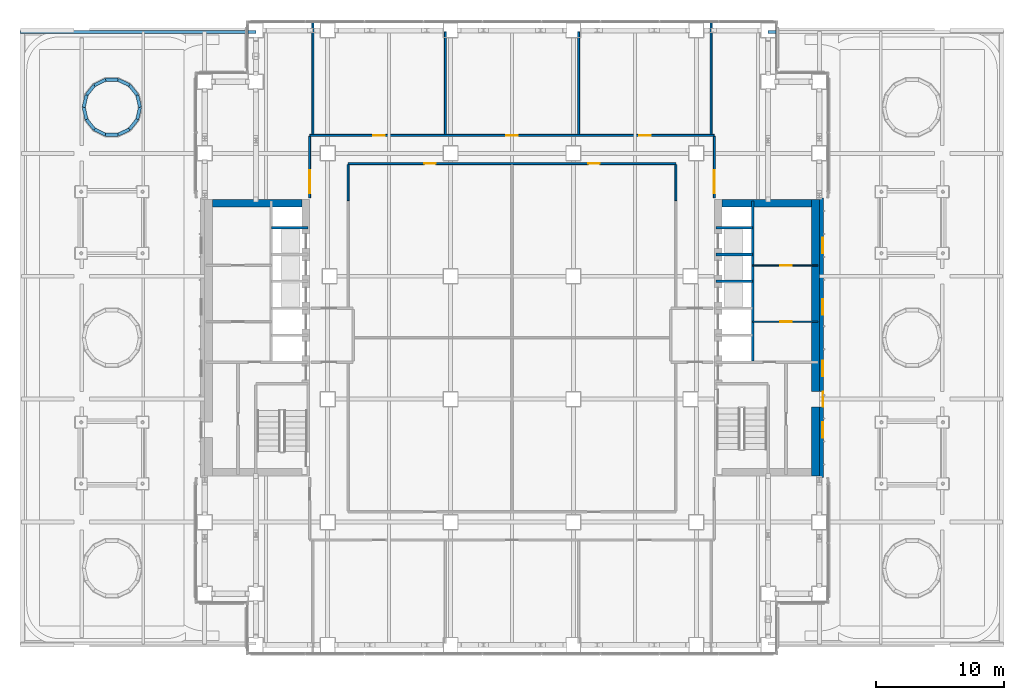
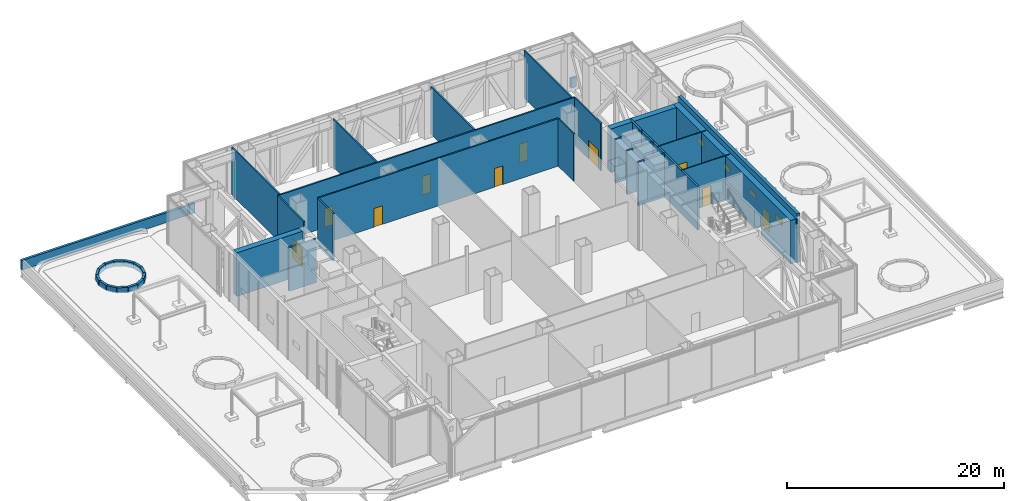
# One storey, part 26 of 39: 38 walls, 10 doors, 4 windows, 15 openings.
"""IFC4 building model written with IfcOpenShell, lengths in metres."""

from ifc_helpers import new_model, si_unit, direction, frame, frame_2d, origin, place, context, subcontext, project, spatial, rectangle, extrude, material, layer, layer_set, type_object, element, fill, save


model = new_model("IFC4")

# Units and contexts
model_context = context("Model", 3, precision=1e-05, world=origin(), true_north=direction((0.0, 1.0)))
body_context = subcontext(model_context, "Body", "Model", "MODEL_VIEW")
ifc_project = project(units=[si_unit("LENGTHUNIT", "METRE"), si_unit("AREAUNIT", "SQUARE_METRE"), si_unit("VOLUMEUNIT", "CUBIC_METRE"), si_unit("PLANEANGLEUNIT", "RADIAN"), si_unit("MASSUNIT", "GRAM", prefix="KILO")], contexts=[model_context])

# Site, building, storey
site_placement = place(None, origin())
site = spatial("IfcSite", under=ifc_project, at=site_placement, CompositionType="ELEMENT")
building_placement = place(site_placement, origin())
building = spatial("IfcBuilding", under=site, at=building_placement, Name="Cobrizo Arcos Hotel Tower", CompositionType="ELEMENT")
storey_placement = place(building_placement, frame((0.0, 0.0, 33.5)))
storey = spatial("IfcBuildingStorey", under=building, at=storey_placement, Name="L06", CompositionType="ELEMENT", Elevation=33.5)

# Wall, openings, doors
ifc_material_1 = material(Name="Gypsum board partition")
ifc_layer_1 = layer(ifc_material_1, 0.14990234375)
ifc_layer_set_1 = layer_set([ifc_layer_1], Name="Corridor wall EI 60 150")
wall_type_1 = type_object("IfcWallType", Name="Corridor wall EI 60 150", PredefinedType="PARTITIONING", material=ifc_layer_set_1)
wall_1_placement = place(storey_placement, frame((-12.800048828125, 13.60009765625, 0.0), z_axis=(0.0, 0.0, 1.0), x_axis=(1.0, 0.0, 0.0)))
wall_1 = element("IfcWall", 1, at=wall_1_placement, inside=storey, type_object=wall_type_1, Name="Partition 030", PredefinedType="PARTITIONING", context=body_context, shape_type="SweptSolid", body=[
    extrude(rectangle(XDim=25.60009765625, YDim=0.14990234375, at=frame_2d((12.800048828125, 0.0))), origin(), (0.0, 0.0, 1.0), 5.35009765625),
])
opening_1_placement = place(wall_1_placement, frame((5.949951171875, 0.0, 0.0)))
opening_1 = element("IfcOpeningElement", 2, at=opening_1_placement, cuts=wall_1, Name="Opening RD-18", PredefinedType="OPENING", context=body_context, shape_type="SweptSolid", body=[
    extrude(rectangle(XDim=0.89990234375, YDim=2.10009765625, at=frame_2d((0.449951171875, 1.050048828125))), frame((0.0, 0.0869140625, 0.0), z_axis=(0.0, -1.0, 0.0), x_axis=(1.0, 0.0, 0.0)), (0.0, 0.0, 1.0), 0.173828125),
])
opening_2_placement = place(wall_1_placement, frame((18.75, 0.0, 0.0)))
opening_2 = element("IfcOpeningElement", 3, at=opening_2_placement, cuts=wall_1, Name="Opening RD-20", PredefinedType="OPENING", context=body_context, shape_type="SweptSolid", body=[
    extrude(rectangle(XDim=0.89990234375, YDim=2.10009765625, at=frame_2d((0.449951171875, 1.050048828125))), frame((0.0, 0.0869140625, 0.0), z_axis=(0.0, -1.0, 0.0), x_axis=(1.0, 0.0, 0.0)), (0.0, 0.0, 1.0), 0.173828125),
])
ifc_material_2 = material(Name="Timber door leaf", Category="wood")
door_type_1 = type_object("IfcDoorType", Name="Room door FD30 900x2100", OperationType="SINGLE_SWING_LEFT", PredefinedType="DOOR", material=ifc_material_2)
door_1_placement = place(opening_1_placement, origin())
door_1 = element("IfcDoor", 4, at=door_1_placement, inside=storey, type_object=door_type_1, Name="Door RD-18", OperationType="SINGLE_SWING_RIGHT", OverallHeight=2.10009765625, OverallWidth=0.89990234375, PredefinedType="DOOR", context=body_context, shape_type="SweptSolid", body=[
    extrude(rectangle(XDim=0.89990234375, YDim=2.10009765625, at=frame_2d((0.449951171875, 1.050048828125))), frame((0.0, 0.02490234375, 0.0), z_axis=(0.0, -1.0, 0.0), x_axis=(1.0, 0.0, 0.0)), (0.0, 0.0, 1.0), 0.050048828125),
])
fill(opening_1, door_1)
door_2_placement = place(opening_2_placement, origin())
door_2 = element("IfcDoor", 5, at=door_2_placement, inside=storey, type_object=door_type_1, Name="Door RD-20", OperationType="SINGLE_SWING_RIGHT", OverallHeight=2.10009765625, OverallWidth=0.89990234375, PredefinedType="DOOR", context=body_context, shape_type="SweptSolid", body=[
    extrude(rectangle(XDim=0.89990234375, YDim=2.10009765625, at=frame_2d((0.449951171875, 1.050048828125))), frame((0.0, 0.02490234375, 0.0), z_axis=(0.0, -1.0, 0.0), x_axis=(1.0, 0.0, 0.0)), (0.0, 0.0, 1.0), 0.050048828125),
])
fill(opening_2, door_2)

wall_2_placement = place(storey_placement, frame((-15.800048828125, 15.800048828125, 0.0), z_axis=(0.0, 0.0, 1.0), x_axis=(1.0, 0.0, 0.0)))
wall_2 = element("IfcWall", 6, at=wall_2_placement, inside=storey, type_object=wall_type_1, Name="Partition 031", PredefinedType="PARTITIONING", context=body_context, shape_type="SweptSolid", body=[
    extrude(rectangle(XDim=31.60009765625, YDim=0.14990234375, at=frame_2d((15.800048828125, 0.0))), origin(), (0.0, 0.0, 1.0), 5.35009765625),
])
opening_3_placement = place(wall_2_placement, frame((4.97998046875, 0.0, 0.0)))
opening_3 = element("IfcOpeningElement", 7, at=opening_3_placement, cuts=wall_2, Name="Opening RD-09", PredefinedType="OPENING", context=body_context, shape_type="SweptSolid", body=[
    extrude(rectangle(XDim=0.89990234375, YDim=2.10009765625, at=frame_2d((0.449951171875, 1.050048828125))), frame((0.0, 0.0869140625, 0.0), z_axis=(0.0, -1.0, 0.0), x_axis=(1.0, 0.0, 0.0)), (0.0, 0.0, 1.0), 0.173828125),
])
opening_4_placement = place(wall_2_placement, frame((15.35009765625, 0.0, 0.0)))
opening_4 = element("IfcOpeningElement", 8, at=opening_4_placement, cuts=wall_2, Name="Opening RD-10", PredefinedType="OPENING", context=body_context, shape_type="SweptSolid", body=[
    extrude(rectangle(XDim=0.89990234375, YDim=2.10009765625, at=frame_2d((0.449951171875, 1.050048828125))), frame((0.0, 0.0869140625, 0.0), z_axis=(0.0, -1.0, 0.0), x_axis=(1.0, 0.0, 0.0)), (0.0, 0.0, 1.0), 0.173828125),
])
opening_5_placement = place(wall_2_placement, frame((25.720947265625, 0.0, 0.0)))
opening_5 = element("IfcOpeningElement", 9, at=opening_5_placement, cuts=wall_2, Name="Opening RD-11", PredefinedType="OPENING", context=body_context, shape_type="SweptSolid", body=[
    extrude(rectangle(XDim=0.89990234375, YDim=2.10009765625, at=frame_2d((0.449951171875, 1.050048828125))), frame((0.0, 0.0869140625, 0.0), z_axis=(0.0, -1.0, 0.0), x_axis=(1.0, 0.0, 0.0)), (0.0, 0.0, 1.0), 0.173828125),
])
door_3_placement = place(opening_3_placement, origin())
door_3 = element("IfcDoor", 10, at=door_3_placement, inside=storey, type_object=door_type_1, Name="Door RD-09", OperationType="SINGLE_SWING_RIGHT", OverallHeight=2.10009765625, OverallWidth=0.89990234375, PredefinedType="DOOR", context=body_context, shape_type="SweptSolid", body=[
    extrude(rectangle(XDim=0.89990234375, YDim=2.10009765625, at=frame_2d((0.449951171875, 1.050048828125))), frame((0.0, 0.02490234375, 0.0), z_axis=(0.0, -1.0, 0.0), x_axis=(1.0, 0.0, 0.0)), (0.0, 0.0, 1.0), 0.050048828125),
])
fill(opening_3, door_3)
door_4_placement = place(opening_4_placement, origin())
door_4 = element("IfcDoor", 11, at=door_4_placement, inside=storey, type_object=door_type_1, Name="Door RD-10", OperationType="SINGLE_SWING_LEFT", OverallHeight=2.10009765625, OverallWidth=0.89990234375, PredefinedType="DOOR", context=body_context, shape_type="SweptSolid", body=[
    extrude(rectangle(XDim=0.89990234375, YDim=2.10009765625, at=frame_2d((0.449951171875, 1.050048828125))), frame((0.0, 0.02490234375, 0.0), z_axis=(0.0, -1.0, 0.0), x_axis=(1.0, 0.0, 0.0)), (0.0, 0.0, 1.0), 0.050048828125),
])
fill(opening_4, door_4)
door_5_placement = place(opening_5_placement, origin())
door_5 = element("IfcDoor", 12, at=door_5_placement, inside=storey, type_object=door_type_1, Name="Door RD-11", OperationType="SINGLE_SWING_LEFT", OverallHeight=2.10009765625, OverallWidth=0.89990234375, PredefinedType="DOOR", context=body_context, shape_type="SweptSolid", body=[
    extrude(rectangle(XDim=0.89990234375, YDim=2.10009765625, at=frame_2d((0.449951171875, 1.050048828125))), frame((0.0, 0.02490234375, 0.0), z_axis=(0.0, -1.0, 0.0), x_axis=(1.0, 0.0, 0.0)), (0.0, 0.0, 1.0), 0.050048828125),
])
fill(opening_5, door_5)

# Wall, opening, door
wall_3_placement = place(storey_placement, frame((-15.800048828125, 10.919921875, 0.0), z_axis=(0.0, 0.0, 1.0), x_axis=(0.0, 1.0, 0.0)))
wall_3 = element("IfcWall", 13, at=wall_3_placement, inside=storey, type_object=wall_type_1, Name="Partition 036", PredefinedType="PARTITIONING", context=body_context, shape_type="SweptSolid", body=[
    extrude(rectangle(XDim=4.80517578125, YDim=0.14990234375, at=frame_2d((2.402587890625, 0.0))), origin(), (0.0, 0.0, 1.0), 5.35009765625),
])
opening_6_placement = place(wall_3_placement, frame((0.3798828125, 0.0, 0.0)))
opening_6 = element("IfcOpeningElement", 14, at=opening_6_placement, cuts=wall_3, Name="Opening DD-01", PredefinedType="OPENING", context=body_context, shape_type="SweptSolid", body=[
    extrude(rectangle(XDim=1.800048828125, YDim=2.10009765625, at=frame_2d((0.89990234375, 1.050048828125))), frame((0.0, 0.0869140625, 0.0), z_axis=(0.0, -1.0, 0.0), x_axis=(1.0, 0.0, 0.0)), (0.0, 0.0, 1.0), 0.173828125),
])
door_type_2 = type_object("IfcDoorType", Name="Double door FD30 1800x2100", OperationType="DOUBLE_DOOR_SINGLE_SWING", PredefinedType="DOOR", material=ifc_material_2)
door_6_placement = place(opening_6_placement, origin())
door_6 = element("IfcDoor", 15, at=door_6_placement, inside=storey, type_object=door_type_2, Name="Door DD-01", OperationType="DOUBLE_DOOR_SINGLE_SWING", OverallHeight=2.10009765625, OverallWidth=1.800048828125, PredefinedType="DOOR", context=body_context, shape_type="SweptSolid", body=[
    extrude(rectangle(XDim=1.800048828125, YDim=2.10009765625, at=frame_2d((0.89990234375, 1.050048828125))), frame((0.0, 0.02490234375, 0.0), z_axis=(0.0, -1.0, 0.0), x_axis=(1.0, 0.0, 0.0)), (0.0, 0.0, 1.0), 0.050048828125),
])
fill(opening_6, door_6)

# Walls
wall_4_placement = place(storey_placement, frame((-15.550048828125, 15.875, 0.0), z_axis=(0.0, 0.0, 1.0), x_axis=(0.0, 1.0, 0.0)))
element("IfcWall", 16, at=wall_4_placement, inside=storey, type_object=wall_type_1, Name="Partition 038", PredefinedType="PARTITIONING", context=body_context, shape_type="SweptSolid", body=[
    extrude(rectangle(XDim=8.7548828125, YDim=0.14990234375, at=frame_2d((4.37744140625, 0.0))), origin(), (0.0, 0.0, 1.0), 5.35009765625),
])
wall_5_placement = place(storey_placement, frame((-12.800048828125, 10.699951171875, 0.0), z_axis=(0.0, 0.0, 1.0), x_axis=(0.0, 1.0, 0.0)))
element("IfcWall", 17, at=wall_5_placement, inside=storey, type_object=wall_type_1, Name="Partition 041", PredefinedType="PARTITIONING", context=body_context, shape_type="SweptSolid", body=[
    extrude(rectangle(XDim=2.824951171875, YDim=0.14990234375, at=frame_2d((1.41259765625, 0.0))), origin(), (0.0, 0.0, 1.0), 5.35009765625),
])
for number, where, z_axis, x_axis, name in (
    (18, (-5.199951171875, 15.875, 0.0), (0.0, 0.0, 1.0), (0.0, 1.0, 0.0), "Partition 044"),
    (19, (5.199951171875, 15.875, 0.0), (0.0, 0.0, 1.0), (0.0, 1.0, 0.0), "Partition 048"),
):
    element("IfcWall", number, at=place(storey_placement, frame(where, z_axis=z_axis, x_axis=x_axis)), inside=storey, type_object=wall_type_1, Name=name, PredefinedType="PARTITIONING", context=body_context, shape_type="SweptSolid", body=[
        extrude(rectangle(XDim=8.0048828125, YDim=0.14990234375, at=frame_2d((4.00244140625, 0.0))), origin(), (0.0, 0.0, 1.0), 5.35009765625),
    ])
wall_6_placement = place(storey_placement, frame((12.800048828125, 10.699951171875, 0.0), z_axis=(0.0, 0.0, 1.0), x_axis=(0.0, 1.0, 0.0)))
element("IfcWall", 20, at=wall_6_placement, inside=storey, type_object=wall_type_1, Name="Partition 052", PredefinedType="PARTITIONING", context=body_context, shape_type="SweptSolid", body=[
    extrude(rectangle(XDim=2.824951171875, YDim=0.14990234375, at=frame_2d((1.41259765625, 0.0))), origin(), (0.0, 0.0, 1.0), 5.35009765625),
])
wall_7_placement = place(storey_placement, frame((15.550048828125, 15.875, 0.0), z_axis=(0.0, 0.0, 1.0), x_axis=(0.0, 1.0, 0.0)))
element("IfcWall", 21, at=wall_7_placement, inside=storey, type_object=wall_type_1, Name="Partition 054", PredefinedType="PARTITIONING", context=body_context, shape_type="SweptSolid", body=[
    extrude(rectangle(XDim=8.7548828125, YDim=0.14990234375, at=frame_2d((4.37744140625, 0.0))), origin(), (0.0, 0.0, 1.0), 5.35009765625),
])

# Wall, opening, door
wall_8_placement = place(storey_placement, frame((15.800048828125, 10.919921875, 0.0), z_axis=(0.0, 0.0, 1.0), x_axis=(0.0, 1.0, 0.0)))
wall_8 = element("IfcWall", 22, at=wall_8_placement, inside=storey, type_object=wall_type_1, Name="Partition 056", PredefinedType="PARTITIONING", context=body_context, shape_type="SweptSolid", body=[
    extrude(rectangle(XDim=4.80517578125, YDim=0.14990234375, at=frame_2d((2.402587890625, 0.0))), origin(), (0.0, 0.0, 1.0), 5.35009765625),
])
opening_7_placement = place(wall_8_placement, frame((0.3798828125, 0.0, 0.0)))
opening_7 = element("IfcOpeningElement", 23, at=opening_7_placement, cuts=wall_8, Name="Opening DD-02", PredefinedType="OPENING", context=body_context, shape_type="SweptSolid", body=[
    extrude(rectangle(XDim=1.800048828125, YDim=2.10009765625, at=frame_2d((0.89990234375, 1.050048828125))), frame((0.0, 0.0869140625, 0.0), z_axis=(0.0, -1.0, 0.0), x_axis=(1.0, 0.0, 0.0)), (0.0, 0.0, 1.0), 0.173828125),
])
door_7_placement = place(opening_7_placement, origin())
door_7 = element("IfcDoor", 24, at=door_7_placement, inside=storey, type_object=door_type_2, Name="Door DD-02", OperationType="DOUBLE_DOOR_SINGLE_SWING", OverallHeight=2.10009765625, OverallWidth=1.800048828125, PredefinedType="DOOR", context=body_context, shape_type="SweptSolid", body=[
    extrude(rectangle(XDim=1.800048828125, YDim=2.10009765625, at=frame_2d((0.89990234375, 1.050048828125))), frame((0.0, 0.02490234375, 0.0), z_axis=(0.0, -1.0, 0.0), x_axis=(1.0, 0.0, 0.0)), (0.0, 0.0, 1.0), 0.050048828125),
])
fill(opening_7, door_7)

# Wall, openings, door, windows
ifc_material_3 = material(Name="Aluminium composite panel pale metal", Category="aluminium")
ifc_layer_2 = layer(ifc_material_3, 0.324951171875)
ifc_layer_set_2 = layer_set([ifc_layer_2], Name="EW-1 insulated panel wall 325")
wall_type_2 = type_object("IfcWallType", Name="EW-1 insulated panel wall 325", PredefinedType="SOLIDWALL", material=ifc_layer_set_2)
wall_9_placement = place(storey_placement, frame((24.16259765625, -10.92431640625, 0.0), z_axis=(0.0, 0.0, 1.0), x_axis=(0.0, 1.0, 0.0)))
wall_9 = element("IfcWall", 25, at=wall_9_placement, inside=storey, type_object=wall_type_2, Name="Core face wall L06 E", PredefinedType="SOLIDWALL", context=body_context, shape_type="SweptSolid", body=[
    extrude(rectangle(XDim=21.8486328125, YDim=0.324951171875, at=frame_2d((10.92431640625, 0.0))), origin(), (0.0, 0.0, 1.0), 5.5),
])
opening_8_placement = place(wall_9_placement, frame((3.124267578125, 0.0, 2.199951171875)))
opening_8 = element("IfcOpeningElement", 26, at=opening_8_placement, cuts=wall_9, Name="Opening W-01", PredefinedType="OPENING", context=body_context, shape_type="SweptSolid", body=[
    extrude(rectangle(XDim=1.199951171875, YDim=0.60009765625, at=frame_2d((0.60009765625, 0.300048828125))), frame((0.0, 0.174560546875, 0.0), z_axis=(0.0, -1.0, 0.0), x_axis=(1.0, 0.0, 0.0)), (0.0, 0.0, 1.0), 0.348876953125),
])
opening_9_placement = place(wall_9_placement, frame((7.92431640625, 0.0, 2.199951171875)))
opening_9 = element("IfcOpeningElement", 27, at=opening_9_placement, cuts=wall_9, Name="Opening W-02", PredefinedType="OPENING", context=body_context, shape_type="SweptSolid", body=[
    extrude(rectangle(XDim=1.199951171875, YDim=0.60009765625, at=frame_2d((0.60009765625, 0.300048828125))), frame((0.0, 0.174560546875, 0.0), z_axis=(0.0, -1.0, 0.0), x_axis=(1.0, 0.0, 0.0)), (0.0, 0.0, 1.0), 0.348876953125),
])
opening_10_placement = place(wall_9_placement, frame((12.724365234375, 0.0, 2.199951171875)))
opening_10 = element("IfcOpeningElement", 28, at=opening_10_placement, cuts=wall_9, Name="Opening W-03", PredefinedType="OPENING", context=body_context, shape_type="SweptSolid", body=[
    extrude(rectangle(XDim=1.199951171875, YDim=0.60009765625, at=frame_2d((0.60009765625, 0.300048828125))), frame((0.0, 0.174560546875, 0.0), z_axis=(0.0, -1.0, 0.0), x_axis=(1.0, 0.0, 0.0)), (0.0, 0.0, 1.0), 0.348876953125),
])
opening_11_placement = place(wall_9_placement, frame((17.5244140625, 0.0, 2.199951171875)))
opening_11 = element("IfcOpeningElement", 29, at=opening_11_placement, cuts=wall_9, Name="Opening W-04", PredefinedType="OPENING", context=body_context, shape_type="SweptSolid", body=[
    extrude(rectangle(XDim=1.199951171875, YDim=0.60009765625, at=frame_2d((0.60009765625, 0.300048828125))), frame((0.0, 0.174560546875, 0.0), z_axis=(0.0, -1.0, 0.0), x_axis=(1.0, 0.0, 0.0)), (0.0, 0.0, 1.0), 0.348876953125),
])
opening_12_placement = place(wall_9_placement, frame((5.52392578125, 0.0, 0.0)))
opening_12 = element("IfcOpeningElement", 30, at=opening_12_placement, cuts=wall_9, Name="Opening TD-02", PredefinedType="OPENING", context=body_context, shape_type="SweptSolid", body=[
    extrude(rectangle(XDim=1.199951171875, YDim=2.10009765625, at=frame_2d((0.60009765625, 1.050048828125))), frame((0.0, 0.174560546875, 0.0), z_axis=(0.0, -1.0, 0.0), x_axis=(1.0, 0.0, 0.0)), (0.0, 0.0, 1.0), 0.348876953125),
])
ifc_material_4 = material(Name="Aluminium 6063-T6 and clear laminated glass", Category="aluminium")
door_type_3 = type_object("IfcDoorType", Name="Terrace door 1200x2100", OperationType="DOUBLE_DOOR_SINGLE_SWING", PredefinedType="DOOR", material=ifc_material_4)
door_8_placement = place(opening_12_placement, origin())
door_8 = element("IfcDoor", 31, at=door_8_placement, inside=storey, type_object=door_type_3, Name="Terrace door TD-02", OperationType="DOUBLE_DOOR_SINGLE_SWING", OverallHeight=2.10009765625, OverallWidth=1.199951171875, PredefinedType="DOOR", context=body_context, shape_type="SweptSolid", body=[
    extrude(rectangle(XDim=1.199951171875, YDim=2.10009765625, at=frame_2d((0.60009765625, 1.050048828125))), frame((0.0, -0.0927734375, 0.0), z_axis=(0.0, -1.0, 0.0), x_axis=(1.0, 0.0, 0.0)), (0.0, 0.0, 1.0), 0.050048828125),
])
fill(opening_12, door_8)
window_type = type_object("IfcWindowType", Name="W-S1 plant smoke-vent window 1200x600", PartitioningType="SINGLE_PANEL", PredefinedType="WINDOW", material=ifc_material_4)
window_1_placement = place(opening_8_placement, origin())
window_1 = element("IfcWindow", 32, at=window_1_placement, inside=storey, type_object=window_type, Name="Core face wall L06 E window W-01", OverallHeight=0.60009765625, OverallWidth=1.199951171875, PartitioningType="SINGLE_PANEL", PredefinedType="WINDOW", context=body_context, shape_type="SweptSolid", body=[
    extrude(rectangle(XDim=1.199951171875, YDim=0.60009765625, at=frame_2d((0.60009765625, 0.300048828125))), frame((0.0, -0.072509765625, 0.0), z_axis=(0.0, -1.0, 0.0), x_axis=(1.0, 0.0, 0.0)), (0.0, 0.0, 1.0), 0.06005859375),
])
fill(opening_8, window_1)
window_2_placement = place(opening_9_placement, origin())
window_2 = element("IfcWindow", 33, at=window_2_placement, inside=storey, type_object=window_type, Name="Core face wall L06 E window W-02", OverallHeight=0.60009765625, OverallWidth=1.199951171875, PartitioningType="SINGLE_PANEL", PredefinedType="WINDOW", context=body_context, shape_type="SweptSolid", body=[
    extrude(rectangle(XDim=1.199951171875, YDim=0.60009765625, at=frame_2d((0.60009765625, 0.300048828125))), frame((0.0, -0.072509765625, 0.0), z_axis=(0.0, -1.0, 0.0), x_axis=(1.0, 0.0, 0.0)), (0.0, 0.0, 1.0), 0.06005859375),
])
fill(opening_9, window_2)
window_3_placement = place(opening_10_placement, origin())
window_3 = element("IfcWindow", 34, at=window_3_placement, inside=storey, type_object=window_type, Name="Core face wall L06 E window W-03", OverallHeight=0.60009765625, OverallWidth=1.199951171875, PartitioningType="SINGLE_PANEL", PredefinedType="WINDOW", context=body_context, shape_type="SweptSolid", body=[
    extrude(rectangle(XDim=1.199951171875, YDim=0.60009765625, at=frame_2d((0.60009765625, 0.300048828125))), frame((0.0, -0.072509765625, 0.0), z_axis=(0.0, -1.0, 0.0), x_axis=(1.0, 0.0, 0.0)), (0.0, 0.0, 1.0), 0.06005859375),
])
fill(opening_10, window_3)
window_4_placement = place(opening_11_placement, origin())
window_4 = element("IfcWindow", 35, at=window_4_placement, inside=storey, type_object=window_type, Name="Core face wall L06 E window W-04", OverallHeight=0.60009765625, OverallWidth=1.199951171875, PartitioningType="SINGLE_PANEL", PredefinedType="WINDOW", context=body_context, shape_type="SweptSolid", body=[
    extrude(rectangle(XDim=1.199951171875, YDim=0.60009765625, at=frame_2d((0.60009765625, 0.300048828125))), frame((0.0, -0.072509765625, 0.0), z_axis=(0.0, -1.0, 0.0), x_axis=(1.0, 0.0, 0.0)), (0.0, 0.0, 1.0), 0.06005859375),
])
fill(opening_11, window_4)

# Walls
ifc_layer_3 = layer(ifc_material_3, 0.25)
ifc_layer_set_3 = layer_set([ifc_layer_3], Name="PW-1 parapet wall")
wall_type_3 = type_object("IfcWallType", Name="PW-1 parapet wall", PredefinedType="PARAPET", material=ifc_layer_set_3)
for number, where, z_axis, x_axis, name in (
    (36, (20.60009765625, 23.875, 0.0), (0.0, 0.0, 1.0), (-1.0, 0.0, 0.0), "Parapet L05 N"),
    (37, (-20.0, 23.875, 0.0), (0.0, 0.0, 1.0), (-1.0, 0.0, 0.0), "Parapet L05 N"),
):
    element("IfcWall", number, at=place(storey_placement, frame(where, z_axis=z_axis, x_axis=x_axis)), inside=storey, type_object=wall_type_3, Name=name, PredefinedType="PARAPET", context=body_context, shape_type="SweptSolid", body=[
        extrude(rectangle(XDim=0.60009765625, YDim=0.25, at=frame_2d((0.300048828125, 0.0))), origin(), (0.0, 0.0, 1.0), 1.10009765625),
    ])
wall_10_placement = place(storey_placement, frame((-20.75, 23.875, 0.0), z_axis=(0.0, 0.0, 1.0), x_axis=(-1.0, 0.0, 0.0)))
element("IfcWall", 38, at=wall_10_placement, inside=storey, type_object=wall_type_3, Name="Parapet L05 N", PredefinedType="PARAPET", context=body_context, shape_type="SweptSolid", body=[
    extrude(rectangle(XDim=17.675048828125, YDim=0.25, at=frame_2d((8.83740234375, 0.0))), origin(), (0.0, 0.0, 1.0), 1.10009765625),
])

# Wall, opening, door
ifc_layer_4 = layer(ifc_material_1, 0.10009765625)
ifc_layer_set_4 = layer_set([ifc_layer_4], Name="Partition EI 30 100")
wall_type_4 = type_object("IfcWallType", Name="Partition EI 30 100", PredefinedType="PARTITIONING", material=ifc_layer_set_4)
wall_11_placement = place(storey_placement, frame((18.800048828125, 1.25, 0.0), z_axis=(0.0, 0.0, 1.0), x_axis=(1.0, 0.0, 0.0)))
wall_11 = element("IfcWall", 39, at=wall_11_placement, inside=storey, type_object=wall_type_4, Name="Partition 017", PredefinedType="PARTITIONING", context=body_context, shape_type="SweptSolid", body=[
    extrude(rectangle(XDim=5.079833984375, YDim=0.10009765625, at=frame_2d((2.5400390625, 0.0))), origin(), (0.0, 0.0, 1.0), 4.89990234375),
])
opening_13_placement = place(wall_11_placement, frame((2.14990234375, 0.0, 0.0)))
opening_13 = element("IfcOpeningElement", 40, at=opening_13_placement, cuts=wall_11, Name="Opening RD-07", PredefinedType="OPENING", context=body_context, shape_type="SweptSolid", body=[
    extrude(rectangle(XDim=0.89990234375, YDim=2.10009765625, at=frame_2d((0.449951171875, 1.050048828125))), frame((0.0, 0.06201171875, 0.0), z_axis=(0.0, -1.0, 0.0), x_axis=(1.0, 0.0, 0.0)), (0.0, 0.0, 1.0), 0.1240234375),
])
door_9_placement = place(opening_13_placement, origin())
door_9 = element("IfcDoor", 41, at=door_9_placement, inside=storey, type_object=door_type_1, Name="Door RD-07", OperationType="SINGLE_SWING_LEFT", OverallHeight=2.10009765625, OverallWidth=0.89990234375, PredefinedType="DOOR", context=body_context, shape_type="SweptSolid", body=[
    extrude(rectangle(XDim=0.89990234375, YDim=2.10009765625, at=frame_2d((0.449951171875, 1.050048828125))), frame((0.0, 0.02490234375, 0.0), z_axis=(0.0, -1.0, 0.0), x_axis=(1.0, 0.0, 0.0)), (0.0, 0.0, 1.0), 0.050048828125),
])
fill(opening_13, door_9)

wall_12_placement = place(storey_placement, frame((18.800048828125, 5.64990234375, 0.0), z_axis=(0.0, 0.0, 1.0), x_axis=(1.0, 0.0, 0.0)))
wall_12 = element("IfcWall", 42, at=wall_12_placement, inside=storey, type_object=wall_type_4, Name="Partition 025", PredefinedType="PARTITIONING", context=body_context, shape_type="SweptSolid", body=[
    extrude(rectangle(XDim=5.079833984375, YDim=0.10009765625, at=frame_2d((2.5400390625, 0.0))), origin(), (0.0, 0.0, 1.0), 4.89990234375),
])
opening_14_placement = place(wall_12_placement, frame((2.14990234375, 0.0, 0.0)))
opening_14 = element("IfcOpeningElement", 43, at=opening_14_placement, cuts=wall_12, Name="Opening RD-08", PredefinedType="OPENING", context=body_context, shape_type="SweptSolid", body=[
    extrude(rectangle(XDim=0.89990234375, YDim=2.10009765625, at=frame_2d((0.449951171875, 1.050048828125))), frame((0.0, 0.06201171875, 0.0), z_axis=(0.0, -1.0, 0.0), x_axis=(1.0, 0.0, 0.0)), (0.0, 0.0, 1.0), 0.1240234375),
])
door_10_placement = place(opening_14_placement, origin())
door_10 = element("IfcDoor", 44, at=door_10_placement, inside=storey, type_object=door_type_1, Name="Door RD-08", OperationType="SINGLE_SWING_LEFT", OverallHeight=2.10009765625, OverallWidth=0.89990234375, PredefinedType="DOOR", context=body_context, shape_type="SweptSolid", body=[
    extrude(rectangle(XDim=0.89990234375, YDim=2.10009765625, at=frame_2d((0.449951171875, 1.050048828125))), frame((0.0, 0.02490234375, 0.0), z_axis=(0.0, -1.0, 0.0), x_axis=(1.0, 0.0, 0.0)), (0.0, 0.0, 1.0), 0.050048828125),
])
fill(opening_14, door_10)

# Walls
ifc_material_5 = material(Name="Precast concrete C40/50", Category="concrete")
ifc_layer_5 = layer(ifc_material_5, 0.25)
ifc_layer_set_5 = layer_set([ifc_layer_5], Name="Planter wall 250")
wall_type_5 = type_object("IfcWallType", Name="Planter wall 250", PredefinedType="SOLIDWALL", material=ifc_layer_set_5)
for number, where, z_axis, x_axis, name in (
    (45, (-29.050048828125, 18.0, 0.0), (0.0, 0.0, 1.0), (-0.222418551652, 0.974951274619, 0.0), "Planter wall 3-1"),
    (46, (-29.267822265625, 18.95458984375, 0.0), (0.0, 0.0, 1.0), (-0.623630158608, 0.781719531082, 0.0), "Planter wall 3-2"),
    (47, (-29.87841796875, 19.719970703125, 0.0), (0.0, 0.0, 1.0), (-0.900961956139, 0.433898091249, 0.0), "Planter wall 3-3"),
    (48, (-30.760498046875, 20.144775390625, 0.0), (0.0, 0.0, 1.0), (-1.0, 0.0, 0.0), "Planter wall 3-4"),
    (49, (-31.739501953125, 20.144775390625, 0.0), (0.0, 0.0, 1.0), (-0.900961956139, -0.433898091249, 0.0), "Planter wall 3-5"),
    (50, (-32.62158203125, 19.719970703125, 0.0), (0.0, 0.0, 1.0), (-0.623630158608, -0.781719531082, 0.0), "Planter wall 3-6"),
    (51, (-33.232177734375, 18.95458984375, 0.0), (0.0, 0.0, 1.0), (-0.222418551652, -0.974951274619, 0.0), "Planter wall 3-7"),
    (52, (-33.449951171875, 18.0, 0.0), (0.0, 0.0, 1.0), (0.222418551652, -0.974951274619, 0.0), "Planter wall 3-8"),
    (53, (-33.232177734375, 17.04541015625, 0.0), (0.0, 0.0, 1.0), (0.623630158608, -0.781719531082, 0.0), "Planter wall 3-9"),
    (54, (-32.62158203125, 16.280029296875, 0.0), (0.0, 0.0, 1.0), (0.900961956139, -0.433898091249, 0.0), "Planter wall 3-10"),
    (55, (-31.739501953125, 15.855224609375, 0.0), (0.0, 0.0, 1.0), (1.0, 0.0, 0.0), "Planter wall 3-11"),
    (56, (-30.760498046875, 15.855224609375, 0.0), (0.0, 0.0, 1.0), (0.900961956139, 0.433898091249, 0.0), "Planter wall 3-12"),
    (57, (-29.87841796875, 16.280029296875, 0.0), (0.0, 0.0, 1.0), (0.623630158608, 0.781719531082, 0.0), "Planter wall 3-13"),
    (58, (-29.267822265625, 17.04541015625, 0.0), (0.0, 0.0, 1.0), (0.222418551652, 0.974951274619, 0.0), "Planter wall 3-14"),
):
    element("IfcWall", number, at=place(storey_placement, frame(where, z_axis=z_axis, x_axis=x_axis)), inside=storey, type_object=wall_type_5, Name=name, PredefinedType="SOLIDWALL", context=body_context, shape_type="SweptSolid", body=[
        extrude(rectangle(XDim=0.97900390625, YDim=0.25, at=frame_2d((0.489501953125, 0.0))), origin(), (0.0, 0.0, 1.0), 0.60009765625),
    ])

# Wall, opening
ifc_material_6 = material(Name="Concrete f'c 60 MPa", Category="concrete")
ifc_layer_6 = layer(ifc_material_6, 0.60009765625)
ifc_layer_set_6 = layer_set([ifc_layer_6], Name="RC core wall 600 f'c 60")
wall_type_6 = type_object("IfcWallType", Name="RC core wall 600 f'c 60", PredefinedType="SHEAR", material=ifc_layer_set_6)
wall_13_placement = place(storey_placement, frame((23.699951171875, -10.800048828125, 0.0), z_axis=(0.0, 0.0, 1.0), x_axis=(0.0, 1.0, 0.0)))
wall_13 = element("IfcWall", 59, at=wall_13_placement, inside=storey, type_object=wall_type_6, Name="Core wall CW1, east core, outer face, L06", PredefinedType="SHEAR", context=body_context, shape_type="SweptSolid", body=[
    extrude(rectangle(XDim=21.60009765625, YDim=0.60009765625, at=frame_2d((10.800048828125, 0.0))), origin(), (0.0, 0.0, 1.0), 4.89990234375),
])
opening_15_placement = place(wall_13_placement, frame((5.399658203125, 0.0, 0.0)))
element("IfcOpeningElement", 60, at=opening_15_placement, cuts=wall_13, Name="Opening TD-02", PredefinedType="OPENING", context=body_context, shape_type="SweptSolid", body=[
    extrude(rectangle(XDim=1.199951171875, YDim=2.10009765625, at=frame_2d((0.60009765625, 1.050048828125))), frame((0.0, 0.31201171875, 0.0), z_axis=(0.0, -1.0, 0.0), x_axis=(1.0, 0.0, 0.0)), (0.0, 0.0, 1.0), 0.6240234375),
])

# Walls
for number, where, z_axis, x_axis, name in (
    (61, (16.39990234375, 10.5, 0.0), (0.0, 0.0, 1.0), (1.0, 0.0, 0.0), "Core wall CW1, east core, north end, L06"),
    (62, (-23.39990234375, 10.5, 0.0), (0.0, 0.0, 1.0), (1.0, 0.0, 0.0), "Core wall CW1, west core, north end, L06"),
):
    element("IfcWall", number, at=place(storey_placement, frame(where, z_axis=z_axis, x_axis=x_axis)), inside=storey, type_object=wall_type_6, Name=name, PredefinedType="SHEAR", context=body_context, shape_type="SweptSolid", body=[
        extrude(rectangle(XDim=7.0, YDim=0.60009765625, at=frame_2d((3.5, 0.0))), origin(), (0.0, 0.0, 1.0), 4.89990234375),
    ])
ifc_layer_7 = layer(ifc_material_1, 0.199951171875)
ifc_layer_set_7 = layer_set([ifc_layer_7], Name="Shaft wall EI 120 200")
wall_type_7 = type_object("IfcWallType", Name="Shaft wall EI 120 200", PredefinedType="PARTITIONING", material=ifc_layer_set_7)
for number, where, z_axis, x_axis, name in (
    (63, (15.919921875, 4.39990234375, 0.0), (0.0, 0.0, 1.0), (1.0, 0.0, 0.0), "Partition 023"),
    (64, (15.919921875, 6.5, 0.0), (0.0, 0.0, 1.0), (1.0, 0.0, 0.0), "Partition 027"),
    (65, (-18.800048828125, 8.60009765625, 0.0), (0.0, 0.0, 1.0), (1.0, 0.0, 0.0), "Partition 028"),
    (66, (15.919921875, 8.60009765625, 0.0), (0.0, 0.0, 1.0), (1.0, 0.0, 0.0), "Partition 029"),
):
    element("IfcWall", number, at=place(storey_placement, frame(where, z_axis=z_axis, x_axis=x_axis)), inside=storey, type_object=wall_type_7, Name=name, PredefinedType="PARTITIONING", context=body_context, shape_type="SweptSolid", body=[
        extrude(rectangle(XDim=2.880126953125, YDim=0.199951171875, at=frame_2d((1.43994140625, 0.0))), origin(), (0.0, 0.0, 1.0), 4.89990234375),
    ])
wall_14_placement = place(storey_placement, frame((18.800048828125, -1.800048828125, 0.0), z_axis=(0.0, 0.0, 1.0), x_axis=(0.0, 1.0, 0.0)))
element("IfcWall", 67, at=wall_14_placement, inside=storey, type_object=wall_type_7, Name="Partition 057", PredefinedType="PARTITIONING", context=body_context, shape_type="SweptSolid", body=[
    extrude(rectangle(XDim=12.47998046875, YDim=0.199951171875, at=frame_2d((6.239990234375, 0.0))), origin(), (0.0, 0.0, 1.0), 4.89990234375),
])

save(model, "model.ifc")
